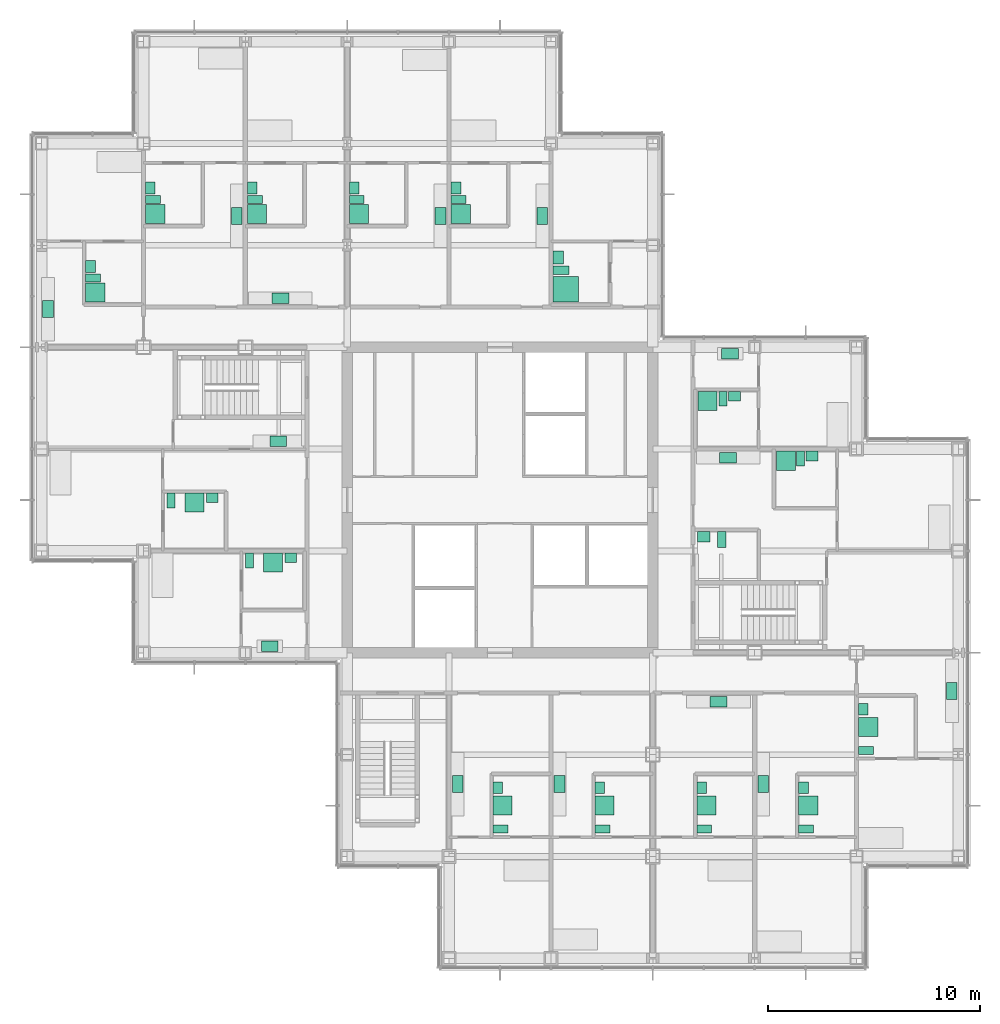
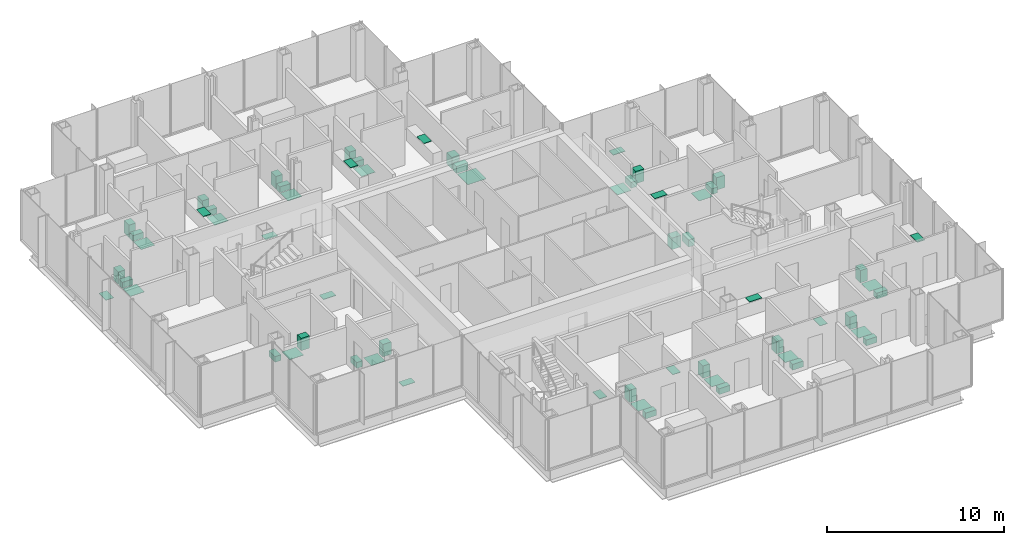
# One storey, part 19 of 20: 61 sanitary terminals.
"""IFC4 building model written with IfcOpenShell, lengths in metres."""

from ifc_helpers import new_model, si_unit, direction, frame, origin, origin_2d, place, context, subcontext, project, spatial, rectangle, extrude, material, type_object, element, save


model = new_model("IFC4")

# Units and contexts
model_context = context("Model", 3, precision=1e-05, world=origin(), true_north=direction((0.0, 1.0)))
body_context = subcontext(model_context, "Body", "Model", "MODEL_VIEW")
ifc_project = project(units=[si_unit("LENGTHUNIT", "METRE"), si_unit("AREAUNIT", "SQUARE_METRE"), si_unit("VOLUMEUNIT", "CUBIC_METRE"), si_unit("PLANEANGLEUNIT", "RADIAN"), si_unit("MASSUNIT", "GRAM", prefix="KILO")], contexts=[model_context])

# Site, building, storey
site_placement = place(None, origin())
site = spatial("IfcSite", under=ifc_project, at=site_placement, CompositionType="ELEMENT")
building_placement = place(site_placement, origin())
building = spatial("IfcBuilding", under=site, at=building_placement, Name="Kvirike Care Tower", CompositionType="ELEMENT")
storey_placement = place(building_placement, frame((0.0, 0.0, 91.0)))
storey = spatial("IfcBuildingStorey", under=building, at=storey_placement, Name="L24", CompositionType="ELEMENT", Elevation=91.0)

# Sanitary terminals
ifc_material_1 = material(Name="Vitreous china", Category="ceramic")
sanitary_terminal_type_1 = type_object("IfcSanitaryTerminalType", Name="ACCESSIBLE WASH BASIN 600 x 500", PredefinedType="WASHHANDBASIN", material=ifc_material_1)
for number, where, z_axis, x_axis, name in (
    (1, (24.35205078125, 47.425048828125, 0.02001953125), (0.0, 0.0, 1.0), (0.0, 1.0, 0.0), "Accessible wash basin L24-032"),
    (2, (31.199951171875, 34.27294921875, 0.02001953125), (0.0, 0.0, 1.0), (1.0, 0.0, 0.0), "Accessible wash basin L24-054"),
):
    element("IfcSanitaryTerminal", number, at=place(storey_placement, frame(where, z_axis=z_axis, x_axis=x_axis)), inside=storey, type_object=sanitary_terminal_type_1, Name=name, PredefinedType="WASHHANDBASIN", context=body_context, shape_type="SweptSolid", body=[
        extrude(rectangle(XDim=0.60009765625, YDim=0.5, at=origin_2d()), origin(), (0.0, 0.0, 1.0), 0.800048828125),
    ])
ifc_material_2 = material(Name="Vitreous china", Category="ceramic")
sanitary_terminal_type_2 = type_object("IfcSanitaryTerminalType", Name="ACCESSIBLE WC PAN 400 x 750", PredefinedType="TOILETPAN", material=ifc_material_2)
for number, where, z_axis, x_axis, name in (
    (3, (24.47705078125, 46.824951171875, 0.02001953125), (0.0, 0.0, 1.0), (0.0, 1.0, 0.0), "Accessible WC pan L24-032"),
    (4, (32.050048828125, 34.14794921875, 0.02001953125), (0.0, 0.0, 1.0), (1.0, 0.0, 0.0), "Accessible WC pan L24-054"),
):
    element("IfcSanitaryTerminal", number, at=place(storey_placement, frame(where, z_axis=z_axis, x_axis=x_axis)), inside=storey, type_object=sanitary_terminal_type_2, Name=name, PredefinedType="TOILETPAN", context=body_context, shape_type="SweptSolid", body=[
        extrude(rectangle(XDim=0.39990234375, YDim=0.75, at=origin_2d()), origin(), (0.0, 0.0, 1.0), 0.47998046875),
    ])
ifc_material_3 = material(Name="Stainless steel", Category="steel")
sanitary_terminal_type_3 = type_object("IfcSanitaryTerminalType", Name="KITCHEN SINK 800 x 500", PredefinedType="SINK", material=ifc_material_3)
for number, where, z_axis, x_axis, name in (
    (5, (11.14990234375, 38.761962890625, 0.89990234375), (0.0, 0.0, 1.0), (-1.0, 0.0, 0.0), "Kitchen sink L24-006"),
    (6, (10.75, 29.10205078125, 0.89990234375), (0.0, 0.0, 1.0), (-1.0, 0.0, 0.0), "Kitchen sink L24-010"),
    (7, (11.25, 45.501953125, 0.89990234375), (0.0, 0.0, 1.0), (-1.0, 0.0, 0.0), "Kitchen sink L24-014"),
    (8, (9.197998046875, 49.389892578125, 0.89990234375), (0.0, 0.0, 1.0), (0.0, -1.0, 0.0), "Kitchen sink L24-017"),
    (9, (0.302001953125, 44.9970703125, 0.89990234375), (0.0, 0.0, 1.0), (0.0, 1.0, 0.0), "Kitchen sink L24-020"),
    (10, (19.60205078125, 22.610107421875, 0.89990234375), (0.0, 0.0, 1.0), (0.0, 1.0, 0.0), "Kitchen sink L24-026"),
    (11, (24.402099609375, 22.610107421875, 0.89990234375), (0.0, 0.0, 1.0), (0.0, 1.0, 0.0), "Kitchen sink L24-029"),
    (12, (23.597900390625, 49.389892578125, 0.89990234375), (0.0, 0.0, 1.0), (0.0, -1.0, 0.0), "Kitchen sink L24-036"),
    (13, (18.798095703125, 49.389892578125, 0.89990234375), (0.0, 0.0, 1.0), (0.0, -1.0, 0.0), "Kitchen sink L24-039"),
    (14, (31.89990234375, 26.498046875, 0.89990234375), (0.0, 0.0, 1.0), (1.0, 0.0, 0.0), "Kitchen sink L24-043"),
    (15, (34.001953125, 22.610107421875, 0.89990234375), (0.0, 0.0, 1.0), (0.0, 1.0, 0.0), "Kitchen sink L24-046"),
    (16, (42.89794921875, 27.0029296875, 0.89990234375), (0.0, 0.0, 1.0), (0.0, -1.0, 0.0), "Kitchen sink L24-049"),
    (17, (32.35009765625, 37.998046875, 0.89990234375), (0.0, 0.0, 1.0), (1.0, 0.0, 0.0), "Kitchen sink L24-056"),
    (18, (32.449951171875, 42.89794921875, 0.89990234375), (0.0, 0.0, 1.0), (1.0, 0.0, 0.0), "Kitchen sink L24-059"),
):
    element("IfcSanitaryTerminal", number, at=place(storey_placement, frame(where, z_axis=z_axis, x_axis=x_axis)), inside=storey, type_object=sanitary_terminal_type_3, Name=name, PredefinedType="SINK", context=body_context, shape_type="SweptSolid", body=[
        extrude(rectangle(XDim=0.800048828125, YDim=0.5, at=origin_2d()), origin(), (0.0, 0.0, 1.0), 0.030029296875),
    ])
ifc_material_4 = material(Name="Stainless steel", Category="steel")
sanitary_terminal_type_4 = type_object("IfcSanitaryTerminalType", Name="LEVEL-ACCESS SHOWER 1200 x 1200", PredefinedType="SHOWER", material=ifc_material_4)
sanitary_terminal_placement = place(storey_placement, frame((24.701904296875, 45.925048828125, 0.02001953125), z_axis=(0.0, 0.0, 1.0), x_axis=(0.0, 1.0, 0.0)))
element("IfcSanitaryTerminal", 19, at=sanitary_terminal_placement, inside=storey, type_object=sanitary_terminal_type_4, Name="Level-access shower L24-032", PredefinedType="SHOWER", context=body_context, shape_type="SweptSolid", body=[
    extrude(rectangle(XDim=1.199951171875, YDim=1.199951171875, at=origin_2d()), origin(), (0.0, 0.0, 1.0), 0.02001953125),
])
ifc_material_5 = material(Name="Stainless steel", Category="steel")
sanitary_terminal_type_5 = type_object("IfcSanitaryTerminalType", Name="LEVEL-ACCESS SHOWER 900 x 900", PredefinedType="SHOWER", material=ifc_material_5)
for number, where, z_axis, x_axis, name in (
    (20, (7.2099609375, 35.873046875, 0.02001953125), (0.0, 0.0, 1.0), (1.0, 0.0, 0.0), "Level-access shower L24-005"),
    (21, (10.909912109375, 33.048095703125, 0.02001953125), (0.0, 0.0, 1.0), (1.0, 0.0, 0.0), "Level-access shower L24-009"),
    (22, (10.152099609375, 49.47509765625, 0.02001953125), (0.0, 0.0, 1.0), (0.0, 1.0, 0.0), "Level-access shower L24-013"),
    (23, (5.35205078125, 49.47509765625, 0.02001953125), (0.0, 0.0, 1.0), (0.0, 1.0, 0.0), "Level-access shower L24-016"),
    (24, (2.527099609375, 45.77490234375, 0.02001953125), (0.0, 0.0, 1.0), (0.0, 1.0, 0.0), "Level-access shower L24-019"),
    (25, (21.72705078125, 21.610107421875, 0.02001953125), (0.0, 0.0, 1.0), (0.0, 1.0, 0.0), "Level-access shower L24-025"),
    (26, (26.527099609375, 21.610107421875, 0.02001953125), (0.0, 0.0, 1.0), (0.0, 1.0, 0.0), "Level-access shower L24-028"),
    (27, (19.751953125, 49.47509765625, 0.02001953125), (0.0, 0.0, 1.0), (0.0, 1.0, 0.0), "Level-access shower L24-035"),
    (28, (14.951904296875, 49.47509765625, 0.02001953125), (0.0, 0.0, 1.0), (0.0, 1.0, 0.0), "Level-access shower L24-038"),
    (29, (31.326904296875, 21.610107421875, 0.02001953125), (0.0, 0.0, 1.0), (0.0, 1.0, 0.0), "Level-access shower L24-042"),
    (30, (36.126953125, 21.610107421875, 0.02001953125), (0.0, 0.0, 1.0), (0.0, 1.0, 0.0), "Level-access shower L24-045"),
    (31, (38.951904296875, 25.31005859375, 0.02001953125), (0.0, 0.0, 1.0), (0.0, 1.0, 0.0), "Level-access shower L24-048"),
    (32, (35.074951171875, 37.847900390625, 0.02001953125), (0.0, 0.0, 1.0), (1.0, 0.0, 0.0), "Level-access shower L24-055"),
    (33, (31.375, 40.673095703125, 0.02001953125), (0.0, 0.0, 1.0), (1.0, 0.0, 0.0), "Level-access shower L24-058"),
):
    element("IfcSanitaryTerminal", number, at=place(storey_placement, frame(where, z_axis=z_axis, x_axis=x_axis)), inside=storey, type_object=sanitary_terminal_type_5, Name=name, PredefinedType="SHOWER", context=body_context, shape_type="SweptSolid", body=[
        extrude(rectangle(XDim=0.89990234375, YDim=0.89990234375, at=origin_2d()), origin(), (0.0, 0.0, 1.0), 0.02001953125),
    ])
ifc_material_6 = material(Name="Vitreous china", Category="ceramic")
sanitary_terminal_type_6 = type_object("IfcSanitaryTerminalType", Name="WASH BASIN 550 x 450", PredefinedType="WASHHANDBASIN", material=ifc_material_6)
for number, where, z_axis, x_axis, name in (
    (34, (8.034912109375, 36.097900390625, 0.02001953125), (0.0, 0.0, 1.0), (1.0, 0.0, 0.0), "Wash basin L24-005"),
    (35, (11.735107421875, 33.27294921875, 0.02001953125), (0.0, 0.0, 1.0), (1.0, 0.0, 0.0), "Wash basin L24-009"),
    (36, (9.927001953125, 50.699951171875, 0.02001953125), (0.0, 0.0, 1.0), (0.0, 1.0, 0.0), "Wash basin L24-013"),
    (37, (5.126953125, 50.699951171875, 0.02001953125), (0.0, 0.0, 1.0), (0.0, 1.0, 0.0), "Wash basin L24-016"),
    (38, (2.302001953125, 47.0, 0.02001953125), (0.0, 0.0, 1.0), (0.0, 1.0, 0.0), "Wash basin L24-019"),
    (39, (21.501953125, 22.43505859375, 0.02001953125), (0.0, 0.0, 1.0), (0.0, 1.0, 0.0), "Wash basin L24-025"),
    (40, (26.302001953125, 22.43505859375, 0.02001953125), (0.0, 0.0, 1.0), (0.0, 1.0, 0.0), "Wash basin L24-028"),
    (41, (19.527099609375, 50.699951171875, 0.02001953125), (0.0, 0.0, 1.0), (0.0, 1.0, 0.0), "Wash basin L24-035"),
    (42, (14.72705078125, 50.699951171875, 0.02001953125), (0.0, 0.0, 1.0), (0.0, 1.0, 0.0), "Wash basin L24-038"),
    (43, (31.10205078125, 22.43505859375, 0.02001953125), (0.0, 0.0, 1.0), (0.0, 1.0, 0.0), "Wash basin L24-042"),
    (44, (35.902099609375, 22.43505859375, 0.02001953125), (0.0, 0.0, 1.0), (0.0, 1.0, 0.0), "Wash basin L24-045"),
    (45, (38.72705078125, 26.135009765625, 0.02001953125), (0.0, 0.0, 1.0), (0.0, 1.0, 0.0), "Wash basin L24-048"),
    (46, (36.300048828125, 38.072998046875, 0.02001953125), (0.0, 0.0, 1.0), (1.0, 0.0, 0.0), "Wash basin L24-055"),
    (47, (32.64990234375, 40.89794921875, 0.02001953125), (0.0, 0.0, 1.0), (1.0, 0.0, 0.0), "Wash basin L24-058"),
):
    element("IfcSanitaryTerminal", number, at=place(storey_placement, frame(where, z_axis=z_axis, x_axis=x_axis)), inside=storey, type_object=sanitary_terminal_type_6, Name=name, PredefinedType="WASHHANDBASIN", context=body_context, shape_type="SweptSolid", body=[
        extrude(rectangle(XDim=0.550048828125, YDim=0.449951171875, at=origin_2d()), origin(), (0.0, 0.0, 1.0), 0.85009765625),
    ])
ifc_material_7 = material(Name="Vitreous china", Category="ceramic")
sanitary_terminal_type_7 = type_object("IfcSanitaryTerminalType", Name="WC PAN 380 x 700", PredefinedType="TOILETPAN", material=ifc_material_7)
for number, where, z_axis, x_axis, name in (
    (48, (6.10009765625, 35.972900390625, 0.02001953125), (0.0, 0.0, 1.0), (1.0, 0.0, 0.0), "WC pan L24-005"),
    (49, (9.800048828125, 33.14794921875, 0.02001953125), (0.0, 0.0, 1.0), (1.0, 0.0, 0.0), "WC pan L24-009"),
    (50, (10.052001953125, 50.1650390625, 0.02001953125), (0.0, 0.0, 1.0), (0.0, 1.0, 0.0), "WC pan L24-013"),
    (51, (5.251953125, 50.1650390625, 0.02001953125), (0.0, 0.0, 1.0), (0.0, 1.0, 0.0), "WC pan L24-016"),
    (52, (2.427001953125, 46.465087890625, 0.02001953125), (0.0, 0.0, 1.0), (0.0, 1.0, 0.0), "WC pan L24-019"),
    (53, (21.626953125, 20.5, 0.02001953125), (0.0, 0.0, 1.0), (0.0, 1.0, 0.0), "WC pan L24-025"),
    (54, (26.427001953125, 20.5, 0.02001953125), (0.0, 0.0, 1.0), (0.0, 1.0, 0.0), "WC pan L24-028"),
    (55, (19.652099609375, 50.1650390625, 0.02001953125), (0.0, 0.0, 1.0), (0.0, 1.0, 0.0), "WC pan L24-035"),
    (56, (14.85205078125, 50.1650390625, 0.02001953125), (0.0, 0.0, 1.0), (0.0, 1.0, 0.0), "WC pan L24-038"),
    (57, (31.22705078125, 20.5, 0.02001953125), (0.0, 0.0, 1.0), (0.0, 1.0, 0.0), "WC pan L24-042"),
    (58, (36.027099609375, 20.5, 0.02001953125), (0.0, 0.0, 1.0), (0.0, 1.0, 0.0), "WC pan L24-045"),
    (59, (38.85205078125, 24.199951171875, 0.02001953125), (0.0, 0.0, 1.0), (0.0, 1.0, 0.0), "WC pan L24-048"),
    (60, (35.764892578125, 37.947998046875, 0.02001953125), (0.0, 0.0, 1.0), (1.0, 0.0, 0.0), "WC pan L24-055"),
    (61, (32.114990234375, 40.77294921875, 0.02001953125), (0.0, 0.0, 1.0), (1.0, 0.0, 0.0), "WC pan L24-058"),
):
    element("IfcSanitaryTerminal", number, at=place(storey_placement, frame(where, z_axis=z_axis, x_axis=x_axis)), inside=storey, type_object=sanitary_terminal_type_7, Name=name, PredefinedType="TOILETPAN", context=body_context, shape_type="SweptSolid", body=[
        extrude(rectangle(XDim=0.3798828125, YDim=0.699951171875, at=origin_2d()), origin(), (0.0, 0.0, 1.0), 0.39990234375),
    ])

save(model, "model.ifc")
